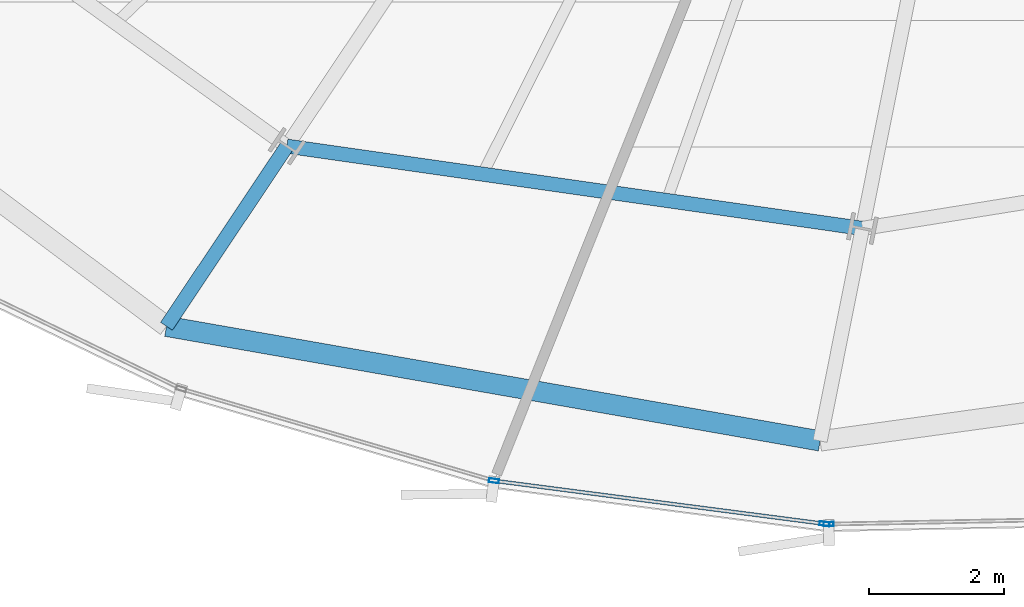
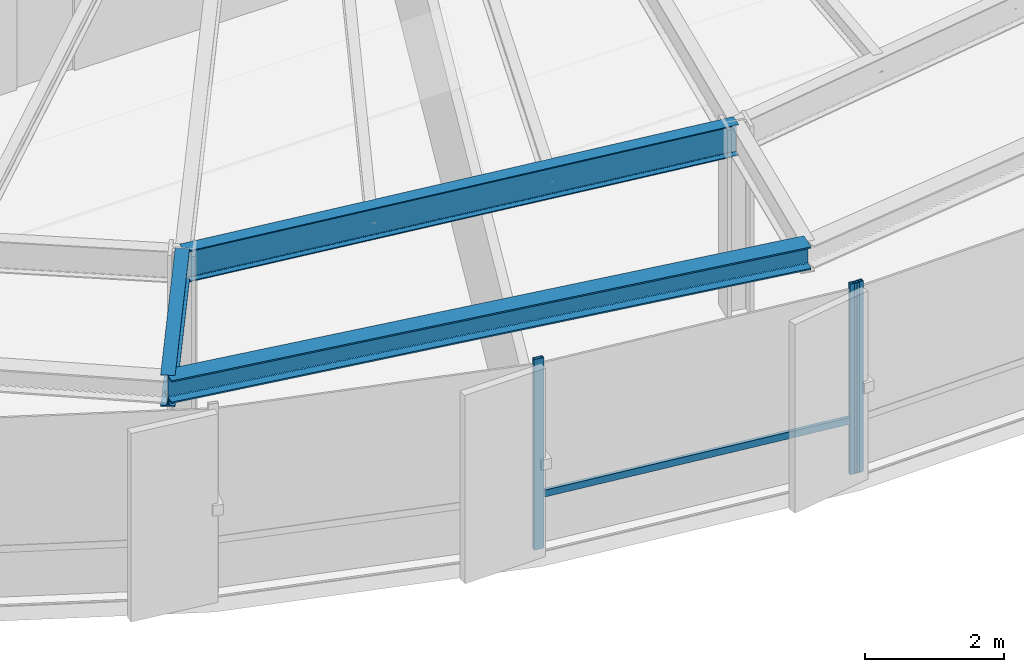
# One storey, part 5 of 35: 4 members, 3 beams, 2 elements without a shape of their own.
"""IFC4 building model written with IfcOpenShell, lengths in metres."""

from ifc_helpers import new_model, si_unit, direction, frame, origin, origin_2d, place, context, subcontext, project, spatial, hollow_rectangle, i_section, extrude, source, transform, mapped, material, layer, layer_set, material_profile, profile_set, type_object, element, aggregate, save


model = new_model("IFC4")

# Units and contexts
model_context = context("Model", 3, precision=1e-05, world=origin(), true_north=direction((0.0, 1.0)))
body_context = subcontext(model_context, "Body", "Model", "MODEL_VIEW")
ifc_project = project(units=[si_unit("LENGTHUNIT", "METRE"), si_unit("AREAUNIT", "SQUARE_METRE"), si_unit("VOLUMEUNIT", "CUBIC_METRE"), si_unit("PLANEANGLEUNIT", "RADIAN"), si_unit("MASSUNIT", "GRAM", prefix="KILO"), si_unit("THERMODYNAMICTEMPERATUREUNIT", "KELVIN")], contexts=[model_context])

# Site, building, storey
site_placement = place(None, origin())
site = spatial("IfcSite", under=ifc_project, at=site_placement, CompositionType="ELEMENT")
building_placement = place(site_placement, origin())
building = spatial("IfcBuilding", under=site, at=building_placement, Name="Kethvar Cultural Tower", CompositionType="ELEMENT")
storey_placement = place(building_placement, frame((0.0, 0.0, 89.199951171875)))
storey = spatial("IfcBuildingStorey", under=building, at=storey_placement, Name="L21", CompositionType="ELEMENT", Elevation=89.199951171875)

# Beams
ifc_material_1 = material(Name="Steel S355J2", Category="steel")
ifc_material_profile_1 = material_profile(ifc_material_1, i_section(OverallWidth=0.2099609375, OverallDepth=0.550048828125, WebThickness=0.010986328125, FlangeThickness=0.01708984375, FilletRadius=0.02392578125, at=origin_2d()), Name="Steel S355J2 — IPE550")
ifc_profile_set_1 = profile_set([ifc_material_profile_1], Name="Steel S355J2 — IPE550")
beam_type_1 = type_object("IfcBeamType", Name="BM-IPE550", PredefinedType="BEAM", material=ifc_profile_set_1)
shared_shape_1 = source(origin(), body_context, "Body", "SweptSolid", [
    extrude(i_section(OverallWidth=0.2099609375, OverallDepth=0.550048828125, WebThickness=0.010986328125, FlangeThickness=0.01708984375, FilletRadius=0.02392578125, at=origin_2d()), origin(), (0.0, 0.0, 1.0), 3.199951171875),
])
beam_1_placement = place(storey_placement, frame((34.350830078125, 9.16845703125, 3.072998046875), z_axis=(-0.555580212716, -0.831462943996, 0.0), x_axis=(0.831462943996, -0.555580212716, 0.0)))
element("IfcBeam", 1, at=beam_1_placement, inside=storey, type_object=beam_type_1, Name="L21 Perimeter Cantilever Beam RC-11", PredefinedType="BEAM", context=body_context, shape_type="MappedRepresentation", body=[
    mapped(shared_shape_1, transform((0.0, 0.0, 0.0), scale=1.0)),
])
shared_shape_2 = source(origin(), body_context, "Body", "SweptSolid", [
    extrude(i_section(OverallWidth=0.2099609375, OverallDepth=0.550048828125, WebThickness=0.010986328125, FlangeThickness=0.01708984375, FilletRadius=0.02392578125, at=origin_2d()), origin(), (0.0, 0.0, 1.0), 8.587890625),
])
beam_2_placement = place(storey_placement, frame((34.350830078125, 9.16845703125, 3.072998046875), z_axis=(0.989943807123, -0.141461156288, 0.0), x_axis=(0.141461156288, 0.989943807123, 0.0)))
element("IfcBeam", 2, at=beam_2_placement, inside=storey, type_object=beam_type_1, Name="L21 Column Ring Tie Beam CR-11", PredefinedType="BEAM", context=body_context, shape_type="MappedRepresentation", body=[
    mapped(shared_shape_2, transform((0.0, 0.0, 0.0), scale=1.0)),
])
ifc_material_profile_2 = material_profile(ifc_material_1, i_section(OverallWidth=0.300048828125, OverallDepth=0.39990234375, WebThickness=0.013427734375, FlangeThickness=0.02392578125, FilletRadius=0.027099609375, at=origin_2d()), Name="Steel S355J2 — HEB400")
ifc_profile_set_2 = profile_set([ifc_material_profile_2], Name="Steel S355J2 — HEB400")
beam_type_2 = type_object("IfcBeamType", Name="BM-SP400", PredefinedType="SPANDREL", material=ifc_profile_set_2)
shared_shape_3 = source(origin(), body_context, "Body", "SweptSolid", [
    extrude(i_section(OverallWidth=0.300048828125, OverallDepth=0.39990234375, WebThickness=0.013427734375, FlangeThickness=0.02392578125, FilletRadius=0.027099609375, at=origin_2d()), origin(), (0.0, 0.0, 1.0), 9.80224609375),
])
beam_3_placement = place(storey_placement, frame((32.572998046875, 6.5078125, 3.14794921875), z_axis=(0.984974273513, -0.172701130618, 0.0), x_axis=(0.172701130618, 0.984974273513, 0.0)))
element("IfcBeam", 3, at=beam_3_placement, inside=storey, type_object=beam_type_2, Name="L21 Perimeter Spandrel Beam SP-11", PredefinedType="SPANDREL", context=body_context, shape_type="MappedRepresentation", body=[
    mapped(shared_shape_3, transform((0.0, 0.0, 0.0), scale=1.0)),
])

# Curtain wall, members
ifc_material_2 = material(Name="Aluminium 6063-T6", Category="aluminium")
ifc_layer = layer(ifc_material_2, 0.179931640625, Name="Aluminium 6063-T6", Category="aluminium")
ifc_layer_set = layer_set([ifc_layer], Name="Aluminium 6063-T6 (180 mm)")
curtain_wall_type = type_object("IfcCurtainWallType", Name="CW-SYS-03-Z2", PredefinedType="NOTDEFINED", material=ifc_layer_set)
curtain_wall_1_placement = place(storey_placement, origin())
curtain_wall_1 = element("IfcCurtainWall", 4, at=curtain_wall_1_placement, inside=storey, type_object=curtain_wall_type, Name="L21 Curtain Wall Run 04", PredefinedType="NOTDEFINED")
ifc_material_profile_3 = material_profile(ifc_material_2, hollow_rectangle(XDim=0.06005859375, YDim=0.14990234375, WallThickness=0.0048828125, at=origin_2d()), Name="Aluminium 6063-T6 — RHS150x60x5")
ifc_profile_set_3 = profile_set([ifc_material_profile_3], Name="Aluminium 6063-T6 — RHS150x60x5")
member_type_1 = type_object("IfcMemberType", Name="CW-SYS-03-Z2-MUL", PredefinedType="MULLION", material=ifc_profile_set_3)
shared_shape_4 = source(origin(), body_context, "Body", "SweptSolid", [
    extrude(hollow_rectangle(XDim=0.06005859375, YDim=0.14990234375, WallThickness=0.0048828125, at=origin_2d()), origin(), (0.0, 0.0, 1.0), 3.35009765625),
])
member_1_placement = place(storey_placement, frame((37.409423828125, 4.2265625, 0.0), z_axis=(0.0, 0.0, 1.0), x_axis=(0.129159054383, 0.991623889724, 0.0)))
member_1 = element("IfcMember", 5, at=member_1_placement, type_object=member_type_1, Name="CW-L21-R04 Mullion 6", PredefinedType="MULLION", context=body_context, shape_type="MappedRepresentation", body=[
    mapped(shared_shape_4, transform((0.0, 0.0, 0.0), scale=1.0)),
])
member_2_placement = place(storey_placement, frame((42.293212890625, 3.590576171875, 0.0), z_axis=(0.0, 0.0, 1.0), x_axis=(0.129159054383, 0.991623889724, 0.0)))
member_2 = element("IfcMember", 6, at=member_2_placement, type_object=member_type_1, Name="CW-L21-R04 Mullion 7", PredefinedType="MULLION", context=body_context, shape_type="MappedRepresentation", body=[
    mapped(shared_shape_4, transform((0.0, 0.0, 0.0), scale=1.0)),
])

# Curtain wall, member
curtain_wall_2_placement = place(storey_placement, origin())
curtain_wall_2 = element("IfcCurtainWall", 7, at=curtain_wall_2_placement, inside=storey, type_object=curtain_wall_type, Name="L21 Curtain Wall Run 05", PredefinedType="NOTDEFINED")
member_3_placement = place(storey_placement, frame((42.353759765625, 3.587158203125, 0.0), z_axis=(0.0, 0.0, 1.0), x_axis=(-0.01940684289, 0.99981166949, 0.0)))
member_3 = element("IfcMember", 8, at=member_3_placement, type_object=member_type_1, Name="CW-L21-R05 Mullion 1", PredefinedType="MULLION", context=body_context, shape_type="MappedRepresentation", body=[
    mapped(shared_shape_4, transform((0.0, 0.0, 0.0), scale=1.0)),
])
aggregate(curtain_wall_2, [member_3])

# Member
ifc_material_profile_4 = material_profile(ifc_material_2, hollow_rectangle(XDim=0.054931640625, YDim=0.1201171875, WallThickness=0.00390625, at=origin_2d()), Name="Aluminium 6063-T6 — RHS120x55x4")
ifc_profile_set_4 = profile_set([ifc_material_profile_4], Name="Aluminium 6063-T6 — RHS120x55x4")
member_type_2 = type_object("IfcMemberType", Name="CW-SYS-03-Z2-TRN", PredefinedType="USERDEFINED", material=ifc_profile_set_4)
shared_shape_5 = source(origin(), body_context, "Body", "SweptSolid", [
    extrude(hollow_rectangle(XDim=0.054931640625, YDim=0.1201171875, WallThickness=0.00390625, at=origin_2d()), origin(), (0.0, 0.0, 1.0), 4.87744140625),
])
member_4_placement = place(storey_placement, frame((37.452392578125, 4.22119140625, 0.949951171875), z_axis=(0.991619937682, -0.129189392719, 0.0), x_axis=(0.129189392719, 0.991619937682, 0.0)))
member_4 = element("IfcMember", 9, at=member_4_placement, type_object=member_type_2, Name="CW-L21-R04 Transom 6", ObjectType="TRANSOM", PredefinedType="USERDEFINED", context=body_context, shape_type="MappedRepresentation", body=[
    mapped(shared_shape_5, transform((0.0, 0.0, 0.0), scale=1.0)),
])

aggregate(curtain_wall_1, [member_1, member_2, member_4])

save(model, "model.ifc")
